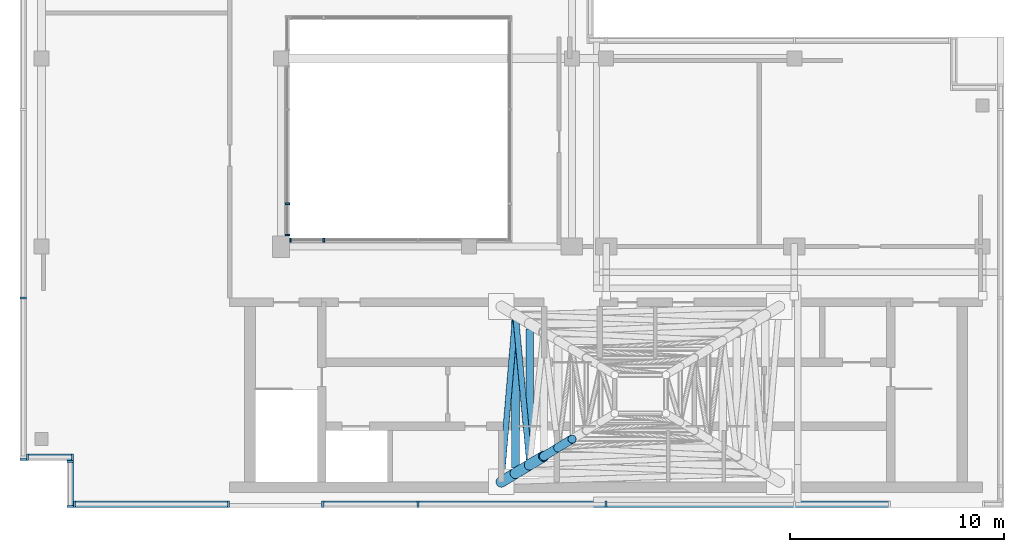
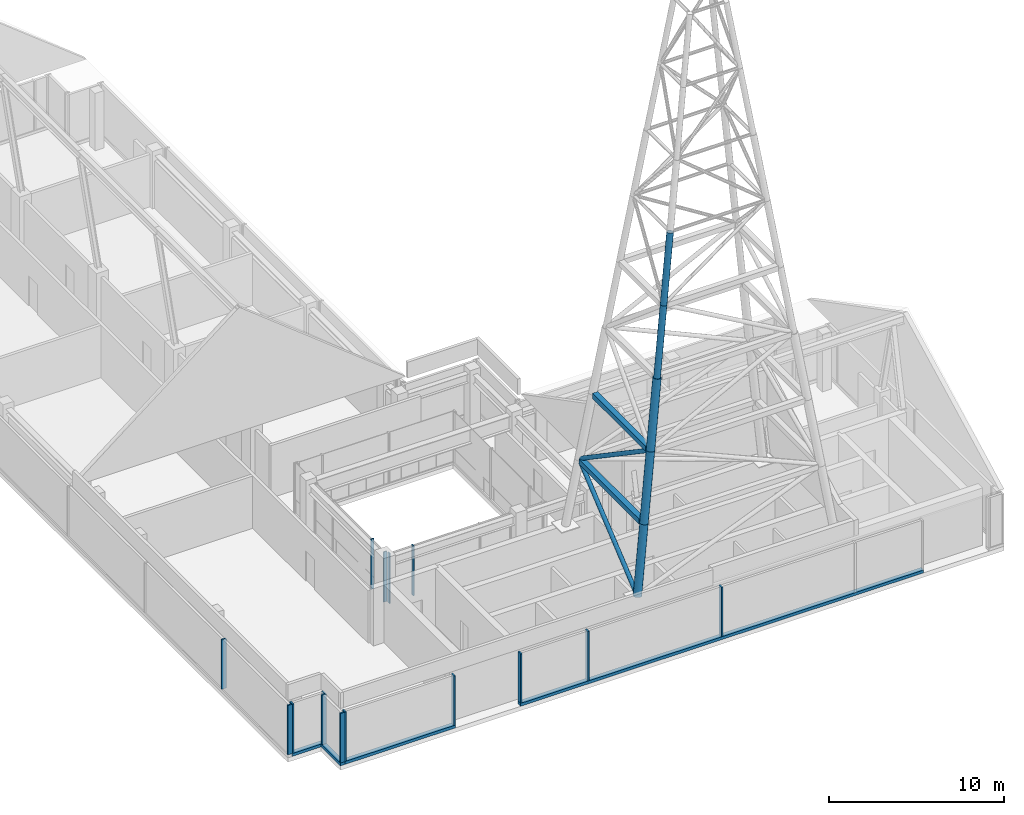
# One storey, part 2 of 13: 28 members, 7 elements without a shape of their own.
"""IFC4 building model written with IfcOpenShell, lengths in metres."""

from ifc_helpers import new_model, si_unit, direction, frame, origin, origin_2d, place, context, subcontext, project, spatial, rectangle, hollow_rectangle, hollow_circle, extrude, source, transform, mapped, material, material_profile, profile_set, type_object, element, aggregate, save


model = new_model("IFC4")

# Units and contexts
model_context = context("Model", 3, precision=1e-05, world=origin(), true_north=direction((0.0, 1.0)))
body_context = subcontext(model_context, "Body", "Model", "MODEL_VIEW")
ifc_project = project(units=[si_unit("LENGTHUNIT", "METRE"), si_unit("AREAUNIT", "SQUARE_METRE"), si_unit("VOLUMEUNIT", "CUBIC_METRE"), si_unit("PLANEANGLEUNIT", "RADIAN"), si_unit("MASSUNIT", "GRAM", prefix="KILO")], contexts=[model_context])

# Site, building, storey
site_placement = place(None, origin())
site = spatial("IfcSite", under=ifc_project, at=site_placement, CompositionType="ELEMENT")
building_placement = place(site_placement, origin())
building = spatial("IfcBuilding", under=site, at=building_placement, Name="Kemantara Hotel Tower", CompositionType="ELEMENT")
storey_placement = place(building_placement, frame((0.0, 0.0, 330.199951171875)))
storey = spatial("IfcBuildingStorey", under=building, at=storey_placement, Name="L83", CompositionType="ELEMENT", Elevation=330.199951171875)

# Curtain wall, member
ifc_material_1 = material(Name="Aluminium 6063-T6 bronze anodised", Category="aluminium")
curtain_wall_type_1 = type_object("IfcCurtainWallType", Name="CROWN LOUVRE SCREEN WALL", PredefinedType="USERDEFINED", material=ifc_material_1)
curtain_wall_1_placement = place(storey_placement, origin())
curtain_wall_1 = element("IfcCurtainWall", 1, at=curtain_wall_1_placement, inside=storey, type_object=curtain_wall_type_1, Name="CW7 L83 CRN-R08-1", ObjectType="CROWN LOUVRE SCREEN WALL", PredefinedType="USERDEFINED")
ifc_material_profile_1 = material_profile(ifc_material_1, rectangle(XDim=0.300048828125, YDim=0.199951171875, at=origin_2d()), Name="CROWN LOUVRE SCREEN WALL TRANSOM")
ifc_profile_set_1 = profile_set([ifc_material_profile_1], Name="Aluminium 6063-T6 bronze anodised")
member_type_1 = type_object("IfcMemberType", Name="CROWN LOUVRE SCREEN WALL TRANSOM", PredefinedType="USERDEFINED", material=ifc_profile_set_1)
member_1_placement = place(storey_placement, frame((2.5, 0.14990234375, 0.10009765625), z_axis=(1.0, 0.0, 0.0), x_axis=(0.0, 1.0, 0.0)))
member_1 = element("IfcMember", 2, at=member_1_placement, type_object=member_type_1, Name="CW7 sill transom CRN-R08-1", ObjectType="TRANSOM", PredefinedType="USERDEFINED", context=body_context, shape_type="SweptSolid", body=[
    extrude(rectangle(XDim=0.300048828125, YDim=0.199951171875, at=origin_2d()), origin(), (0.0, 0.0, 1.0), 7.300048828125),
])

curtain_wall_2_placement = place(storey_placement, origin())
curtain_wall_2 = element("IfcCurtainWall", 3, at=curtain_wall_2_placement, inside=storey, type_object=curtain_wall_type_1, Name="CW7 L83 CRN-R08-2", ObjectType="CROWN LOUVRE SCREEN WALL", PredefinedType="USERDEFINED")
member_2_placement = place(storey_placement, frame((14.10009765625, 0.14990234375, 0.10009765625), z_axis=(1.0, 0.0, 0.0), x_axis=(0.0, 1.0, 0.0)))
member_2 = element("IfcMember", 4, at=member_2_placement, type_object=member_type_1, Name="CW7 sill transom CRN-R08-2", ObjectType="TRANSOM", PredefinedType="USERDEFINED", context=body_context, shape_type="SweptSolid", body=[
    extrude(rectangle(XDim=0.300048828125, YDim=0.199951171875, at=origin_2d()), origin(), (0.0, 0.0, 1.0), 26.599853515625),
])

curtain_wall_3_placement = place(storey_placement, origin())
curtain_wall_3 = element("IfcCurtainWall", 5, at=curtain_wall_3_placement, inside=storey, type_object=curtain_wall_type_1, Name="CW7 L83 CRN-R06-1", ObjectType="CROWN LOUVRE SCREEN WALL", PredefinedType="USERDEFINED")
member_3_placement = place(storey_placement, frame((0.300048828125, 2.35009765625, 0.10009765625), z_axis=(1.0, 0.0, 0.0), x_axis=(0.0, 1.0, 0.0)))
member_3 = element("IfcMember", 6, at=member_3_placement, type_object=member_type_1, Name="CW7 sill transom CRN-R06-1", ObjectType="TRANSOM", PredefinedType="USERDEFINED", context=body_context, shape_type="SweptSolid", body=[
    extrude(rectangle(XDim=0.300048828125, YDim=0.199951171875, at=origin_2d()), origin(), (0.0, 0.0, 1.0), 2.199951171875),
])

curtain_wall_4_placement = place(storey_placement, origin())
curtain_wall_4 = element("IfcCurtainWall", 7, at=curtain_wall_4_placement, inside=storey, type_object=curtain_wall_type_1, Name="CW7 L83 CRN-R07-1", ObjectType="CROWN LOUVRE SCREEN WALL", PredefinedType="USERDEFINED")
member_4_placement = place(storey_placement, frame((2.35009765625, 2.199951171875, 0.10009765625), z_axis=(0.0, -1.0, 0.0), x_axis=(1.0, 0.0, 0.0)))
member_4 = element("IfcMember", 8, at=member_4_placement, type_object=member_type_1, Name="CW7 sill transom CRN-R07-1", ObjectType="TRANSOM", PredefinedType="USERDEFINED", context=body_context, shape_type="SweptSolid", body=[
    extrude(rectangle(XDim=0.300048828125, YDim=0.199951171875, at=origin_2d()), origin(), (0.0, 0.0, 1.0), 2.199951171875),
])

# Members
ifc_material_2 = material(Name="Steel ASTM A500 Grade C", Category="steel")
ifc_material_profile_2 = material_profile(ifc_material_2, hollow_circle(Radius=0.136474609375, WallThickness=0.0126953125, at=origin_2d()), Name="HSS273.1X12.7")
ifc_profile_set_2 = profile_set([ifc_material_profile_2], Name="Steel ASTM A500 Grade C")
member_type_2 = type_object("IfcMemberType", Name="MAST BRACE HSS273.1X12.7", PredefinedType="BRACE", material=ifc_profile_set_2)
member_5_placement = place(storey_placement, frame((22.5185546875, 1.418212890625, 4.178955078125), z_axis=(0.072952115547, 0.858824651449, 0.507048525193), x_axis=(-0.996411654284, 0.084639324236, 0.0)))
element("IfcMember", 9, at=member_5_placement, inside=storey, type_object=member_type_2, Name="MAST BRACE 4 PANEL 1", PredefinedType="BRACE", context=body_context, shape_type="SweptSolid", body=[
    extrude(hollow_circle(Radius=0.136474609375, WallThickness=0.0126953125, at=origin_2d()), origin(), (0.0, 0.0, 1.0), 8.573974609375),
])
member_6_placement = place(storey_placement, frame((23.1826171875, 8.78857421875, 8.794189453125), z_axis=(0.078800338259, -0.832828996745, 0.547892661815), x_axis=(0.995553581127, 0.094196959105, 0.0)))
element("IfcMember", 10, at=member_6_placement, inside=storey, type_object=member_type_2, Name="MAST BRACE 4 PANEL 2", PredefinedType="BRACE", context=body_context, shape_type="SweptSolid", body=[
    extrude(hollow_circle(Radius=0.136474609375, WallThickness=0.0126953125, at=origin_2d()), origin(), (0.0, 0.0, 1.0), 7.8974609375),
])
ifc_material_profile_3 = material_profile(ifc_material_2, hollow_circle(Radius=0.203125, WallThickness=0.0126953125, at=origin_2d()), Name="HSS406.4X12.7")
ifc_profile_set_3 = profile_set([ifc_material_profile_3], Name="Steel ASTM A500 Grade C")
member_type_3 = type_object("IfcMemberType", Name="MAST LEG HSS406.4X12.7", PredefinedType="POST", material=ifc_profile_set_3)
member_7_placement = place(storey_placement, frame((24.487548828125, 2.39990234375, 17.865234375), z_axis=(0.141845329923, 0.085692773957, 0.98617272872), x_axis=(-0.517091564012, 0.855930087348, 0.0)))
element("IfcMember", 11, at=member_7_placement, inside=storey, type_object=member_type_3, Name="MAST LEG 1 PANEL 4", PredefinedType="POST", context=body_context, shape_type="SweptSolid", body=[
    extrude(hollow_circle(Radius=0.203125, WallThickness=0.0126953125, at=origin_2d()), origin(), (0.0, 0.0, 1.0), 4.66943359375),
])
member_8_placement = place(storey_placement, frame((25.14990234375, 2.800048828125, 22.47021484375), z_axis=(0.141889880624, 0.085635823309, 0.986171266841), x_axis=(-0.516720785523, 0.856153975525, 0.0)))
element("IfcMember", 12, at=member_8_placement, inside=storey, type_object=member_type_3, Name="MAST LEG 1 PANEL 5", PredefinedType="POST", context=body_context, shape_type="SweptSolid", body=[
    extrude(hollow_circle(Radius=0.203125, WallThickness=0.0126953125, at=origin_2d()), origin(), (0.0, 0.0, 1.0), 4.669921875),
])
ifc_material_profile_4 = material_profile(ifc_material_2, hollow_circle(Radius=0.25390625, WallThickness=0.0126953125, at=origin_2d()), Name="HSS508X12.7")
ifc_profile_set_4 = profile_set([ifc_material_profile_4], Name="Steel ASTM A500 Grade C")
member_type_4 = type_object("IfcMemberType", Name="MAST LEG HSS508X12.7", PredefinedType="POST", material=ifc_profile_set_4)
for number, where, z_axis, x_axis, name in (
    (13, (22.5, 1.199951171875, 4.050048828125), (0.141896560975, 0.085692138334, 0.986165413818), (-0.516951959847, 0.856014410632, 0.0), "MAST LEG 1 PANEL 1"),
    (14, (23.16259765625, 1.60009765625, 8.655029296875), (0.141838651886, 0.085636458455, 0.986178581097), (-0.516860372783, 0.856069713894, 0.0), "MAST LEG 1 PANEL 2"),
    (15, (23.824951171875, 2.0, 13.26025390625), (0.141897196518, 0.085640238724, 0.986169830775), (-0.516720785523, 0.856153975525, 0.0), "MAST LEG 1 PANEL 3"),
):
    element("IfcMember", number, at=place(storey_placement, frame(where, z_axis=z_axis, x_axis=x_axis)), inside=storey, type_object=member_type_4, Name=name, PredefinedType="POST", context=body_context, shape_type="SweptSolid", body=[
        extrude(hollow_circle(Radius=0.25390625, WallThickness=0.0126953125, at=origin_2d()), origin(), (0.0, 0.0, 1.0), 4.669677734375),
    ])
ifc_material_profile_5 = material_profile(ifc_material_2, hollow_rectangle(XDim=0.355712890625, YDim=0.355712890625, WallThickness=0.0126953125, at=origin_2d()), Name="HSS355.6X355.6X12.7")
ifc_profile_set_5 = profile_set([ifc_material_profile_5], Name="Steel ASTM A500 Grade C")
member_type_5 = type_object("IfcMemberType", Name="MAST STRUT HSS355.6X355.6X12.7", PredefinedType="STRUT", material=ifc_profile_set_5)
member_9_placement = place(storey_placement, frame((23.16259765625, 8.74609375, 8.655029296875), z_axis=(0.0, -1.0, 0.0), x_axis=(1.0, 0.0, 0.0)))
element("IfcMember", 16, at=member_9_placement, inside=storey, type_object=member_type_5, Name="MAST STRUT 4 LEVEL 1", PredefinedType="STRUT", context=body_context, shape_type="SweptSolid", body=[
    extrude(hollow_rectangle(XDim=0.355712890625, YDim=0.355712890625, WallThickness=0.0126953125, at=origin_2d()), origin(), (0.0, 0.0, 1.0), 6.89208984375),
])
member_10_placement = place(storey_placement, frame((23.824951171875, 8.345947265625, 13.26025390625), z_axis=(0.0, -1.0, 0.0), x_axis=(1.0, 0.0, 0.0)))
element("IfcMember", 17, at=member_10_placement, inside=storey, type_object=member_type_5, Name="MAST STRUT 4 LEVEL 2", PredefinedType="STRUT", context=body_context, shape_type="SweptSolid", body=[
    extrude(hollow_rectangle(XDim=0.355712890625, YDim=0.355712890625, WallThickness=0.0126953125, at=origin_2d()), origin(), (0.0, 0.0, 1.0), 6.092041015625),
])

# Curtain wall, members
curtain_wall_5_placement = place(storey_placement, origin())
curtain_wall_5 = element("IfcCurtainWall", 18, at=curtain_wall_5_placement, inside=storey, type_object=curtain_wall_type_1, Name="CW7 L83 CRN-R05-1", ObjectType="CROWN LOUVRE SCREEN WALL", PredefinedType="USERDEFINED")
ifc_material_profile_6 = material_profile(ifc_material_1, rectangle(XDim=0.300048828125, YDim=0.10009765625, at=origin_2d()), Name="CROWN LOUVRE SCREEN WALL MULLION")
ifc_profile_set_6 = profile_set([ifc_material_profile_6], Name="Aluminium 6063-T6 bronze anodised")
member_type_6 = type_object("IfcMemberType", Name="CROWN LOUVRE SCREEN WALL MULLION", PredefinedType="MULLION", material=ifc_profile_set_6)
shared_shape_1 = source(origin(), body_context, "Body", "SweptSolid", [
    extrude(rectangle(XDim=0.300048828125, YDim=0.10009765625, at=origin_2d()), origin(), (0.0, 0.0, 1.0), 3.4501953125),
])
member_11_placement = place(storey_placement, frame((0.14990234375, 9.800048828125, 0.199951171875), z_axis=(0.0, 0.0, 1.0), x_axis=(1.0, 0.0, 0.0)))
member_11 = element("IfcMember", 19, at=member_11_placement, type_object=member_type_6, Name="CW7 mullion CRN-R05-1.7", PredefinedType="MULLION", context=body_context, shape_type="MappedRepresentation", body=[
    mapped(shared_shape_1, transform((0.0, 0.0, 0.0))),
])
member_12_placement = place(storey_placement, frame((0.14990234375, 2.25, 0.199951171875), z_axis=(0.0, 0.0, 1.0), x_axis=(1.0, 0.0, 0.0)))
member_12 = element("IfcMember", 20, at=member_12_placement, type_object=member_type_6, Name="CW7 mullion CRN-R05-1.8", PredefinedType="MULLION", context=body_context, shape_type="MappedRepresentation", body=[
    mapped(shared_shape_1, transform((0.0, 0.0, 0.0))),
])
aggregate(curtain_wall_5, [member_11, member_12])

# Member
member_13_placement = place(storey_placement, frame((2.550048828125, 0.14990234375, 0.199951171875), z_axis=(0.0, 0.0, 1.0), x_axis=(0.0, 1.0, 0.0)))
member_13 = element("IfcMember", 21, at=member_13_placement, type_object=member_type_6, Name="CW7 mullion CRN-R08-1.1", PredefinedType="MULLION", context=body_context, shape_type="MappedRepresentation", body=[
    mapped(shared_shape_1, transform((0.0, 0.0, 0.0))),
])

member_14_placement = place(storey_placement, frame((9.75, 0.14990234375, 0.199951171875), z_axis=(0.0, 0.0, 1.0), x_axis=(0.0, 1.0, 0.0)))
member_14 = element("IfcMember", 22, at=member_14_placement, type_object=member_type_6, Name="CW7 mullion CRN-R08-1.2", PredefinedType="MULLION", context=body_context, shape_type="MappedRepresentation", body=[
    mapped(shared_shape_1, transform((0.0, 0.0, 0.0))),
])

aggregate(curtain_wall_1, [member_1, member_13, member_14])

member_15_placement = place(storey_placement, frame((14.14990234375, 0.14990234375, 0.199951171875), z_axis=(0.0, 0.0, 1.0), x_axis=(0.0, 1.0, 0.0)))
member_15 = element("IfcMember", 23, at=member_15_placement, type_object=member_type_6, Name="CW7 mullion CRN-R08-2.1", PredefinedType="MULLION", context=body_context, shape_type="MappedRepresentation", body=[
    mapped(shared_shape_1, transform((0.0, 0.0, 0.0))),
])

member_16_placement = place(storey_placement, frame((18.60009765625, 0.14990234375, 0.199951171875), z_axis=(0.0, 0.0, 1.0), x_axis=(0.0, 1.0, 0.0)))
member_16 = element("IfcMember", 24, at=member_16_placement, type_object=member_type_6, Name="CW7 mullion CRN-R08-2.2", PredefinedType="MULLION", context=body_context, shape_type="MappedRepresentation", body=[
    mapped(shared_shape_1, transform((0.0, 0.0, 0.0))),
])

member_17_placement = place(storey_placement, frame((27.39990234375, 0.14990234375, 0.199951171875), z_axis=(0.0, 0.0, 1.0), x_axis=(0.0, 1.0, 0.0)))
member_17 = element("IfcMember", 25, at=member_17_placement, type_object=member_type_6, Name="CW7 mullion CRN-R08-2.3", PredefinedType="MULLION", context=body_context, shape_type="MappedRepresentation", body=[
    mapped(shared_shape_1, transform((0.0, 0.0, 0.0))),
])

aggregate(curtain_wall_2, [member_2, member_15, member_16, member_17])

member_18_placement = place(storey_placement, frame((0.35009765625, 2.35009765625, 0.199951171875), z_axis=(0.0, 0.0, 1.0), x_axis=(0.0, 1.0, 0.0)))
member_18 = element("IfcMember", 26, at=member_18_placement, type_object=member_type_6, Name="CW7 mullion CRN-R06-1.1", PredefinedType="MULLION", context=body_context, shape_type="MappedRepresentation", body=[
    mapped(shared_shape_1, transform((0.0, 0.0, 0.0))),
])

member_19_placement = place(storey_placement, frame((2.449951171875, 2.35009765625, 0.199951171875), z_axis=(0.0, 0.0, 1.0), x_axis=(0.0, 1.0, 0.0)))
member_19 = element("IfcMember", 27, at=member_19_placement, type_object=member_type_6, Name="CW7 mullion CRN-R06-1.2", PredefinedType="MULLION", context=body_context, shape_type="MappedRepresentation", body=[
    mapped(shared_shape_1, transform((0.0, 0.0, 0.0))),
])

aggregate(curtain_wall_3, [member_3, member_18, member_19])

member_20_placement = place(storey_placement, frame((2.35009765625, 2.14990234375, 0.199951171875), z_axis=(0.0, 0.0, 1.0), x_axis=(1.0, 0.0, 0.0)))
member_20 = element("IfcMember", 28, at=member_20_placement, type_object=member_type_6, Name="CW7 mullion CRN-R07-1.1", PredefinedType="MULLION", context=body_context, shape_type="MappedRepresentation", body=[
    mapped(shared_shape_1, transform((0.0, 0.0, 0.0))),
])

member_21_placement = place(storey_placement, frame((2.35009765625, 0.050048828125, 0.199951171875), z_axis=(0.0, 0.0, 1.0), x_axis=(1.0, 0.0, 0.0)))
member_21 = element("IfcMember", 29, at=member_21_placement, type_object=member_type_6, Name="CW7 mullion CRN-R07-1.2", PredefinedType="MULLION", context=body_context, shape_type="MappedRepresentation", body=[
    mapped(shared_shape_1, transform((0.0, 0.0, 0.0))),
])

aggregate(curtain_wall_4, [member_4, member_20, member_21])

# Curtain wall, members
ifc_material_3 = material(Name="Clear low-iron laminated glass 36 mm", Category="glass")
curtain_wall_type_2 = type_object("IfcCurtainWallType", Name="ATRIUM GLAZING WALL", PredefinedType="USERDEFINED", material=ifc_material_3)
curtain_wall_6_placement = place(storey_placement, origin())
curtain_wall_6 = element("IfcCurtainWall", 30, at=curtain_wall_6_placement, inside=storey, type_object=curtain_wall_type_2, Name="CW5 L83 ATR-R2-2", ObjectType="ATRIUM GLAZING WALL", PredefinedType="USERDEFINED")
ifc_material_profile_7 = material_profile(ifc_material_1, rectangle(XDim=0.199951171875, YDim=0.074951171875, at=origin_2d()), Name="ATRIUM GLAZING WALL MULLION")
ifc_profile_set_7 = profile_set([ifc_material_profile_7], Name="Aluminium 6063-T6 bronze anodised")
member_type_7 = type_object("IfcMemberType", Name="ATRIUM GLAZING WALL MULLION", PredefinedType="MULLION", material=ifc_profile_set_7)
shared_shape_2 = source(origin(), body_context, "Body", "SweptSolid", [
    extrude(rectangle(XDim=0.199951171875, YDim=0.074951171875, at=origin_2d()), origin(), (0.0, 0.0, 1.0), 3.5),
])
member_22_placement = place(storey_placement, frame((14.199951171875, 12.5, 0.150146484375), z_axis=(0.0, 0.0, 1.0), x_axis=(0.0, -1.0, 0.0)))
member_22 = element("IfcMember", 31, at=member_22_placement, type_object=member_type_7, Name="CW5 mullion ATR-R2-2.3", PredefinedType="MULLION", context=body_context, shape_type="MappedRepresentation", body=[
    mapped(shared_shape_2, transform((0.0, 0.0, 0.0))),
])
member_23_placement = place(storey_placement, frame((12.637451171875, 12.5, 0.150146484375), z_axis=(0.0, 0.0, 1.0), x_axis=(0.0, -1.0, 0.0)))
member_23 = element("IfcMember", 32, at=member_23_placement, type_object=member_type_7, Name="CW5 mullion ATR-R2-2.4", PredefinedType="MULLION", context=body_context, shape_type="MappedRepresentation", body=[
    mapped(shared_shape_2, transform((0.0, 0.0, 0.0))),
])
aggregate(curtain_wall_6, [member_22, member_23])

curtain_wall_7_placement = place(storey_placement, origin())
curtain_wall_7 = element("IfcCurtainWall", 33, at=curtain_wall_7_placement, inside=storey, type_object=curtain_wall_type_2, Name="CW5 L83 ATR-R3-1", ObjectType="ATRIUM GLAZING WALL", PredefinedType="USERDEFINED")
member_24_placement = place(storey_placement, frame((12.5, 12.737548828125, 0.150146484375), z_axis=(0.0, 0.0, 1.0), x_axis=(-1.0, 0.0, 0.0)))
member_24 = element("IfcMember", 34, at=member_24_placement, type_object=member_type_7, Name="CW5 mullion ATR-R3-1.1", PredefinedType="MULLION", context=body_context, shape_type="MappedRepresentation", body=[
    mapped(shared_shape_2, transform((0.0, 0.0, 0.0))),
])
member_25_placement = place(storey_placement, frame((12.5, 14.199951171875, 0.150146484375), z_axis=(0.0, 0.0, 1.0), x_axis=(-1.0, 0.0, 0.0)))
member_25 = element("IfcMember", 35, at=member_25_placement, type_object=member_type_7, Name="CW5 mullion ATR-R3-1.2", PredefinedType="MULLION", context=body_context, shape_type="MappedRepresentation", body=[
    mapped(shared_shape_2, transform((0.0, 0.0, 0.0))),
])
aggregate(curtain_wall_7, [member_24, member_25])

save(model, "model.ifc")
